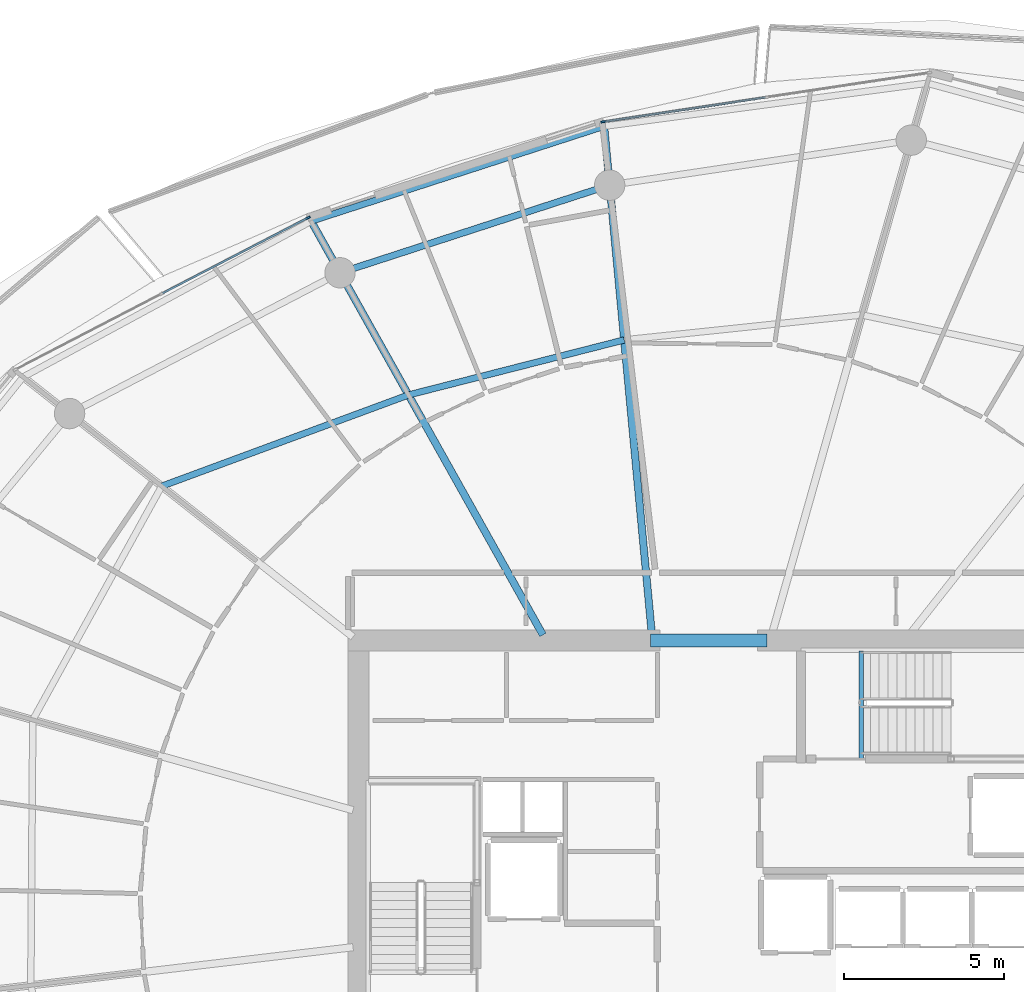
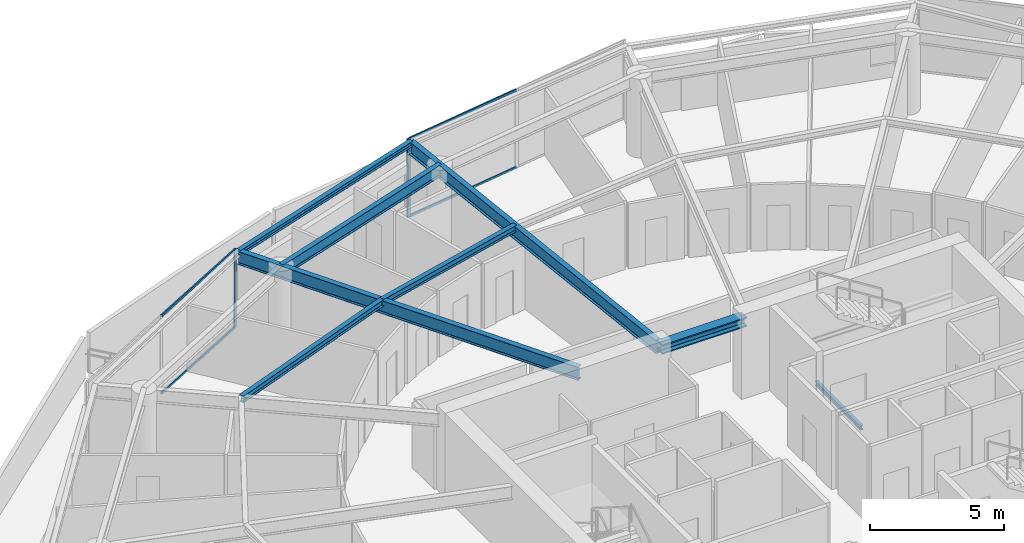
# One storey, part 14 of 31: 8 beams, 6 members, 2 elements without a shape of their own.
"""IFC4 building model written with IfcOpenShell, lengths in metres."""

from ifc_helpers import new_model, si_unit, direction, frame, origin, origin_2d, place, context, subcontext, project, spatial, rectangle, i_section, extrude, material, layer, layer_set, material_profile, profile_set, type_object, element, aggregate, save


model = new_model("IFC4")

# Units and contexts
model_context = context("Model", 3, precision=1e-05, world=origin(), true_north=direction((0.0, 1.0)))
body_context = subcontext(model_context, "Body", "Model", "MODEL_VIEW")
ifc_project = project(units=[si_unit("LENGTHUNIT", "METRE"), si_unit("AREAUNIT", "SQUARE_METRE"), si_unit("VOLUMEUNIT", "CUBIC_METRE"), si_unit("PLANEANGLEUNIT", "RADIAN"), si_unit("MASSUNIT", "GRAM", prefix="KILO")], contexts=[model_context])

# Site, building, storey
site_placement = place(None, origin())
site = spatial("IfcSite", under=ifc_project, at=site_placement, CompositionType="ELEMENT")
building_placement = place(site_placement, origin())
building = spatial("IfcBuilding", under=site, at=building_placement, Name="Kazma Halo Residences", CompositionType="ELEMENT")
storey_placement = place(building_placement, frame((0.0, 0.0, 271.35009765625)))
storey = spatial("IfcBuildingStorey", under=building, at=storey_placement, Name="L68", CompositionType="ELEMENT", Elevation=271.35009765625)

# Beams
ifc_material_1 = material(Name="Steel S355", Category="steel")
ifc_material_profile_1 = material_profile(ifc_material_1, i_section(OverallWidth=0.201904296875, OverallDepth=0.2470703125, WebThickness=0.00732421875, FlangeThickness=0.010986328125, FilletRadius=0.011962890625, at=origin_2d()), Name="W250x49.1")
ifc_profile_set_1 = profile_set([ifc_material_profile_1], Name="Steel S355")
beam_type_1 = type_object("IfcBeamType", Name="BM-BAL-CANT", PredefinedType="BEAM", material=ifc_profile_set_1)
beam_1_placement = place(storey_placement, frame((45.155517578125, 66.41259765625, 3.46630859375), z_axis=(-0.951357597741, -0.308088820344, 0.0), x_axis=(0.308088820344, -0.951357597741, 0.0)))
element("IfcBeam", 1, at=beam_1_placement, inside=storey, type_object=beam_type_1, Name="L68 wave-balcony tie beam 04", PredefinedType="BEAM", context=body_context, shape_type="SweptSolid", body=[
    extrude(i_section(OverallWidth=0.201904296875, OverallDepth=0.2470703125, WebThickness=0.00732421875, FlangeThickness=0.010986328125, FilletRadius=0.011962890625, at=origin_2d()), origin(), (0.0, 0.0, 1.0), 9.633544921875),
])
ifc_material_profile_2 = material_profile(ifc_material_1, i_section(OverallWidth=0.408935546875, OverallDepth=0.425048828125, WebThickness=0.03271484375, FlangeThickness=0.052490234375, FilletRadius=0.02001953125, at=origin_2d()), Name="W360x421")
ifc_profile_set_2 = profile_set([ifc_material_profile_2], Name="Steel S355")
beam_type_2 = type_object("IfcBeamType", Name="BM-CORE-W360H", PredefinedType="BEAM", material=ifc_profile_set_2)
beam_2_placement = place(storey_placement, frame((46.60009765625, 50.324951171875, 3.37744140625), z_axis=(1.0, 0.0, 0.0), x_axis=(0.0, 1.0, 0.0)))
element("IfcBeam", 2, at=beam_2_placement, inside=storey, type_object=beam_type_2, Name="L68 core coupling beam N", PredefinedType="BEAM", context=body_context, shape_type="SweptSolid", body=[
    extrude(i_section(OverallWidth=0.408935546875, OverallDepth=0.425048828125, WebThickness=0.03271484375, FlangeThickness=0.052490234375, FilletRadius=0.02001953125, at=origin_2d()), origin(), (0.0, 0.0, 1.0), 3.64990234375),
])
ifc_material_profile_3 = material_profile(ifc_material_1, i_section(OverallWidth=0.22802734375, OverallDepth=0.60791015625, WebThickness=0.01123046875, FlangeThickness=0.017333984375, FilletRadius=0.01806640625, at=origin_2d()), Name="W610x113")
ifc_profile_set_3 = profile_set([ifc_material_profile_3], Name="Steel S355")
beam_type_3 = type_object("IfcBeamType", Name="BM-RAD-W610", PredefinedType="BEAM", material=ifc_profile_set_3)
beam_3_placement = place(storey_placement, frame((46.64990234375, 50.5, 3.285888671875), z_axis=(-0.093500648044, 0.995619218786, 0.0), x_axis=(-0.995619218786, -0.093500648044, 0.0)))
element("IfcBeam", 3, at=beam_3_placement, inside=storey, type_object=beam_type_3, Name="L68 radial floor beam 04", PredefinedType="BEAM", context=body_context, shape_type="SweptSolid", body=[
    extrude(i_section(OverallWidth=0.22802734375, OverallDepth=0.60791015625, WebThickness=0.01123046875, FlangeThickness=0.017333984375, FilletRadius=0.01806640625, at=origin_2d()), origin(), (0.0, 0.0, 1.0), 15.982666015625),
])
beam_4_placement = place(storey_placement, frame((43.23974609375, 50.5, 3.285888671875), z_axis=(-0.488618902548, 0.872497316943, 0.0), x_axis=(-0.872497316943, -0.488618902548, 0.0)))
element("IfcBeam", 4, at=beam_4_placement, inside=storey, type_object=beam_type_3, Name="L68 radial floor beam 05", PredefinedType="BEAM", context=body_context, shape_type="SweptSolid", body=[
    extrude(i_section(OverallWidth=0.22802734375, OverallDepth=0.60791015625, WebThickness=0.01123046875, FlangeThickness=0.017333984375, FilletRadius=0.01806640625, at=origin_2d()), origin(), (0.0, 0.0, 1.0), 14.836181640625),
])
ifc_material_profile_4 = material_profile(ifc_material_1, i_section(OverallWidth=0.202880859375, OverallDepth=0.302978515625, WebThickness=0.007568359375, FlangeThickness=0.01318359375, FilletRadius=0.013916015625, at=origin_2d()), Name="W310x60")
ifc_profile_set_4 = profile_set([ifc_material_profile_4], Name="Steel S355")
beam_type_4 = type_object("IfcBeamType", Name="BM-SEC-W310A", PredefinedType="JOIST", material=ifc_profile_set_4)
beam_5_placement = place(storey_placement, frame((45.783203125, 59.7294921875, 3.4384765625), z_axis=(-0.968957746759, -0.2472263841, 0.0), x_axis=(0.2472263841, -0.968957746759, 0.0)))
element("IfcBeam", 5, at=beam_5_placement, inside=storey, type_object=beam_type_4, Name="L68 circumferential floor joist 04", PredefinedType="JOIST", context=body_context, shape_type="SweptSolid", body=[
    extrude(i_section(OverallWidth=0.202880859375, OverallDepth=0.302978515625, WebThickness=0.007568359375, FlangeThickness=0.01318359375, FilletRadius=0.013916015625, at=origin_2d()), origin(), (0.0, 0.0, 1.0), 6.9638671875),
])
beam_6_placement = place(storey_placement, frame((39.035400390625, 58.0078125, 3.4384765625), z_axis=(-0.937943961726, -0.346786857683, 0.0), x_axis=(0.346786857683, -0.937943961726, 0.0)))
element("IfcBeam", 6, at=beam_6_placement, inside=storey, type_object=beam_type_4, Name="L68 circumferential floor joist 05", PredefinedType="JOIST", context=body_context, shape_type="SweptSolid", body=[
    extrude(i_section(OverallWidth=0.202880859375, OverallDepth=0.302978515625, WebThickness=0.007568359375, FlangeThickness=0.01318359375, FilletRadius=0.013916015625, at=origin_2d()), origin(), (0.0, 0.0, 1.0), 8.231201171875),
])
ifc_material_profile_5 = material_profile(ifc_material_1, i_section(OverallWidth=0.208984375, OverallDepth=0.532958984375, WebThickness=0.01025390625, FlangeThickness=0.015625, FilletRadius=0.01611328125, at=origin_2d()), Name="W530x92")
ifc_profile_set_5 = profile_set([ifc_material_profile_5], Name="Steel S355")
beam_type_5 = type_object("IfcBeamType", Name="BM-SPN-W530", PredefinedType="BEAM", material=ifc_profile_set_5)
beam_7_placement = place(storey_placement, frame((45.32861328125, 64.57080078125, 3.323486328125), z_axis=(-0.951053893407, -0.309025066679, 0.0), x_axis=(0.309025066679, -0.951053893407, 0.0)))
element("IfcBeam", 7, at=beam_7_placement, inside=storey, type_object=beam_type_5, Name="L68 perimeter ring beam 04", PredefinedType="BEAM", context=body_context, shape_type="SweptSolid", body=[
    extrude(i_section(OverallWidth=0.208984375, OverallDepth=0.532958984375, WebThickness=0.01025390625, FlangeThickness=0.015625, FilletRadius=0.01611328125, at=origin_2d()), origin(), (0.0, 0.0, 1.0), 8.8681640625),
])
ifc_material_profile_6 = material_profile(ifc_material_1, i_section(OverallWidth=0.133056640625, OverallDepth=0.20703125, WebThickness=0.005859375, FlangeThickness=0.00830078125, FilletRadius=0.010009765625, at=origin_2d()), Name="W200x26.6")
ifc_profile_set_6 = profile_set([ifc_material_profile_6], Name="Steel S355")
beam_type_6 = type_object("IfcBeamType", Name="BM-TRIM-W200", PredefinedType="BEAM", material=ifc_profile_set_6)
beam_8_placement = place(storey_placement, frame((53.199951171875, 46.6201171875, -0.3701171875), z_axis=(0.0, 1.0, 0.0), x_axis=(-1.0, 0.0, 0.0)))
element("IfcBeam", 8, at=beam_8_placement, inside=storey, type_object=beam_type_6, Name="L68 ST-02 floor landing support beam", PredefinedType="BEAM", context=body_context, shape_type="SweptSolid", body=[
    extrude(i_section(OverallWidth=0.133056640625, OverallDepth=0.20703125, WebThickness=0.005859375, FlangeThickness=0.00830078125, FilletRadius=0.010009765625, at=origin_2d()), origin(), (0.0, 0.0, 1.0), 3.3798828125),
])

# Curtain wall, member
ifc_material_2 = material(Name="Aluminium AW-6063 T6 and Triple-Silver Low-E Glass", Category="aluminium")
ifc_layer = layer(ifc_material_2, 0.139892578125)
ifc_layer_set = layer_set([ifc_layer], Name="Aluminium AW-6063 T6 and Triple-Silver Low-E Glass")
curtain_wall_type = type_object("IfcCurtainWallType", Name="CW-SYS-5", PredefinedType="NOTDEFINED", material=ifc_layer_set)
curtain_wall_1_placement = place(storey_placement, origin())
curtain_wall_1 = element("IfcCurtainWall", 9, at=curtain_wall_1_placement, inside=storey, type_object=curtain_wall_type, Name="L68 unitised curtain wall B03", PredefinedType="NOTDEFINED")
ifc_material_3 = material(Name="Aluminium AW-6063 T6", Category="aluminium")
ifc_material_profile_7 = material_profile(ifc_material_3, rectangle(XDim=0.06005859375, YDim=0.139892578125, at=origin_2d()), Name="CWM-60x140")
ifc_profile_set_7 = profile_set([ifc_material_profile_7], Name="Aluminium AW-6063 T6")
member_type_1 = type_object("IfcMemberType", Name="CW-SYS-5-MUL", PredefinedType="MULLION", material=ifc_profile_set_7)
member_1_placement = place(storey_placement, frame((45.124267578125, 66.552734375, 0.0), z_axis=(0.0, 0.0, 1.0), x_axis=(0.148697080374, -0.988882792998, 0.0)))
member_1 = element("IfcMember", 10, at=member_1_placement, type_object=member_type_1, Name="CWS-5 mullion 3", PredefinedType="MULLION", context=body_context, shape_type="SweptSolid", body=[
    extrude(rectangle(XDim=0.06005859375, YDim=0.139892578125, at=origin_2d()), origin(), (0.0, 0.0, 1.0), 3.58984375),
])

curtain_wall_2_placement = place(storey_placement, origin())
curtain_wall_2 = element("IfcCurtainWall", 11, at=curtain_wall_2_placement, inside=storey, type_object=curtain_wall_type, Name="L68 unitised curtain wall B05", PredefinedType="NOTDEFINED")
member_2_placement = place(storey_placement, frame((35.894775390625, 63.553955078125, 0.0), z_axis=(0.0, 0.0, 1.0), x_axis=(0.460960760804, -0.887420518694, 0.0)))
member_2 = element("IfcMember", 12, at=member_2_placement, type_object=member_type_1, Name="CWS-5 mullion 1", PredefinedType="MULLION", context=body_context, shape_type="SweptSolid", body=[
    extrude(rectangle(XDim=0.06005859375, YDim=0.139892578125, at=origin_2d()), origin(), (0.0, 0.0, 1.0), 3.58984375),
])

# Member
ifc_material_profile_8 = material_profile(ifc_material_3, rectangle(XDim=0.06005859375, YDim=0.10498046875, at=origin_2d()), Name="CWT-60x105")
ifc_profile_set_8 = profile_set([ifc_material_profile_8], Name="Aluminium AW-6063 T6")
member_type_2 = type_object("IfcMemberType", Name="CW-SYS-5-TRN", PredefinedType="USERDEFINED", material=ifc_profile_set_8)
member_3_placement = place(storey_placement, frame((50.19677734375, 67.3154296875, 0.02978515625), z_axis=(-0.988882913569, -0.148696278541, 0.0), x_axis=(0.148696278541, -0.988882913569, 0.0)))
member_3 = element("IfcMember", 13, at=member_3_placement, type_object=member_type_2, Name="CWS-5 transom 2.1", ObjectType="TRANSOM", PredefinedType="USERDEFINED", context=body_context, shape_type="SweptSolid", body=[
    extrude(rectangle(XDim=0.06005859375, YDim=0.10498046875, at=origin_2d()), origin(), (0.0, 0.0, 1.0), 5.099609375),
])

member_4_placement = place(storey_placement, frame((50.19677734375, 67.3154296875, 3.559814453125), z_axis=(-0.988882913569, -0.148696278541, 0.0), x_axis=(0.148696278541, -0.988882913569, 0.0)))
member_4 = element("IfcMember", 14, at=member_4_placement, type_object=member_type_2, Name="CWS-5 transom 2.2", ObjectType="TRANSOM", PredefinedType="USERDEFINED", context=body_context, shape_type="SweptSolid", body=[
    extrude(rectangle(XDim=0.06005859375, YDim=0.10498046875, at=origin_2d()), origin(), (0.0, 0.0, 1.0), 5.099609375),
])

aggregate(curtain_wall_1, [member_1, member_3, member_4])

member_5_placement = place(storey_placement, frame((35.8681640625, 63.5400390625, 0.02978515625), z_axis=(-0.887436955863, -0.46092911534, 0.0), x_axis=(0.46092911534, -0.887436955863, 0.0)))
member_5 = element("IfcMember", 15, at=member_5_placement, type_object=member_type_2, Name="CWS-5 transom 1.1", ObjectType="TRANSOM", PredefinedType="USERDEFINED", context=body_context, shape_type="SweptSolid", body=[
    extrude(rectangle(XDim=0.06005859375, YDim=0.10498046875, at=origin_2d()), origin(), (0.0, 0.0, 1.0), 5.099609375),
])

member_6_placement = place(storey_placement, frame((35.8681640625, 63.5400390625, 3.559814453125), z_axis=(-0.887436955863, -0.46092911534, 0.0), x_axis=(0.46092911534, -0.887436955863, 0.0)))
member_6 = element("IfcMember", 16, at=member_6_placement, type_object=member_type_2, Name="CWS-5 transom 1.2", ObjectType="TRANSOM", PredefinedType="USERDEFINED", context=body_context, shape_type="SweptSolid", body=[
    extrude(rectangle(XDim=0.06005859375, YDim=0.10498046875, at=origin_2d()), origin(), (0.0, 0.0, 1.0), 5.099609375),
])

aggregate(curtain_wall_2, [member_2, member_5, member_6])

save(model, "model.ifc")
